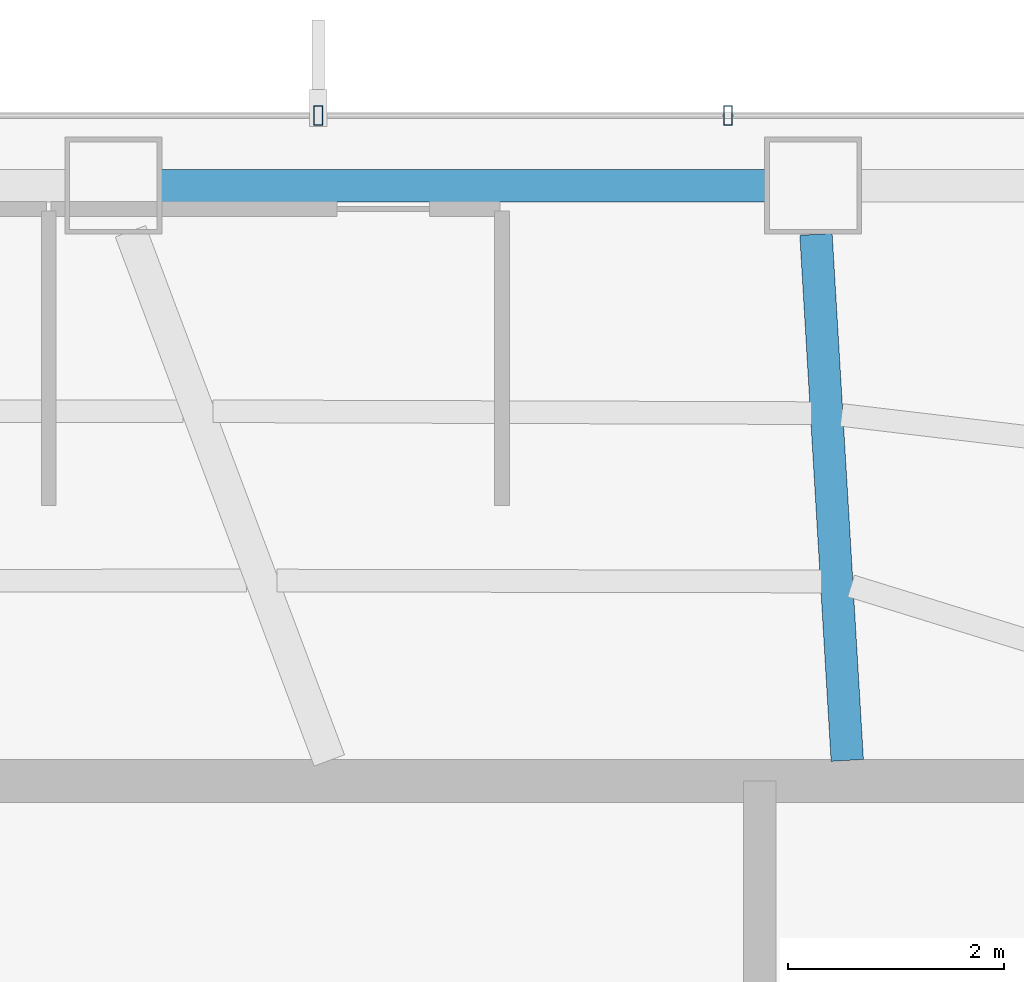
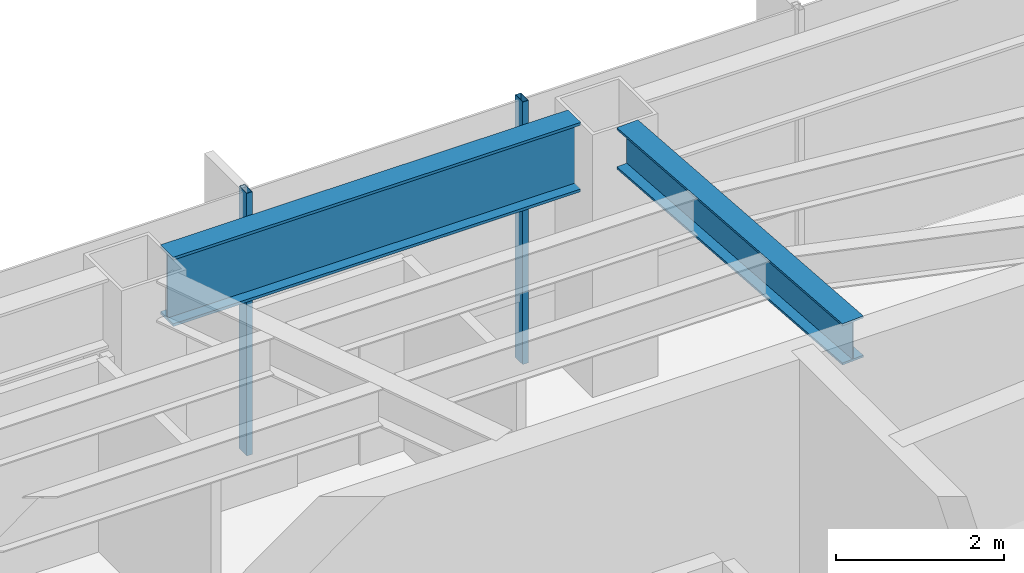
# One storey, part 14 of 25: 2 beams, 2 members, 1 element without a shape of its own.
"""IFC4 building model written with IfcOpenShell, lengths in metres."""

import ifcopenshell
import ifcopenshell.guid

model = None  # the IFC model being written
_history = None  # IfcOwnerHistory: only IFC2X3 demands one
_inside = {}  # id of a spatial element -> (the spatial element, [elements in it])
_under = {}  # id of a project, library or spatial element -> (it, [spatial elements below it])
_declared = {}  # id of a project -> (the project, [libraries it declares])
_typed = {}  # id of a type object -> (the type object, [elements of that type])
_made_of = {}  # id of a material, layer set ... -> (it, [elements and type objects made of it])


def new_model(schema):
    """Start an empty IFC model of exactly this schema.

    Asked for "IFC4X3", IfcOpenShell would pick the latest addendum, in which some entities
    have other attributes; the version numbers below select the first issue.
    IFC2X3 requires an IfcOwnerHistory on every rooted entity: one is made here for all.
    """
    global model, _history
    if schema == "IFC4X3":
        model = ifcopenshell.file(schema_version=(4, 3, 0, 0))
    else:
        model = ifcopenshell.file(schema=schema)
    _inside.clear()
    _under.clear()
    _declared.clear()
    _typed.clear()
    _made_of.clear()
    _history = None
    if model.schema == "IFC2X3":
        org = make("IfcOrganization", Name="unknown")
        user = make(
            "IfcPersonAndOrganization",
            ThePerson=make("IfcPerson", FamilyName="unknown"),
            TheOrganization=org,
        )
        app = make(
            "IfcApplication",
            ApplicationDeveloper=org,
            Version="unknown",
            ApplicationFullName="unknown",
            ApplicationIdentifier="unknown",
        )
        _history = make(
            "IfcOwnerHistory",
            OwningUser=user,
            OwningApplication=app,
            ChangeAction="ADDED",
            CreationDate=0,
        )
    return model


def make(cls, **values):
    """One entity of the class cls with the attributes given. An attribute that is None is left unset."""
    return model.create_entity(
        cls, **{name: value for name, value in values.items() if value is not None}
    )


def rooted(cls, **values):
    """An entity with a GlobalId (a new one), such as an element, a storey or a relation."""
    return make(cls, GlobalId=ifcopenshell.guid.new(), OwnerHistory=_history, **values)


def si_unit(unit_type, name, prefix=None):
    """IfcSIUnit, for example si_unit("LENGTHUNIT", "METRE", prefix="MILLI")."""
    return make("IfcSIUnit", UnitType=unit_type, Prefix=prefix, Name=name)


def assignment(units):
    """IfcUnitAssignment: the units of a project."""
    return None if units is None else make("IfcUnitAssignment", Units=units)


def point(xyz):
    """IfcCartesianPoint."""
    return None if xyz is None else make("IfcCartesianPoint", Coordinates=xyz)


def direction(xyz):
    """IfcDirection."""
    return None if xyz is None else make("IfcDirection", DirectionRatios=xyz)


def frame(location, z_axis=None, x_axis=None):
    """IfcAxis2Placement3D, a coordinate frame: its origin and axes. An axis left out is left unset."""
    return make(
        "IfcAxis2Placement3D",
        Location=point(location),
        Axis=direction(z_axis),
        RefDirection=direction(x_axis),
    )


def frame_2d(location, x_axis=None):
    """IfcAxis2Placement2D, a coordinate frame in the plane: its origin and x axis."""
    return make(
        "IfcAxis2Placement2D", Location=point(location), RefDirection=direction(x_axis)
    )


def origin():
    """The frame at (0, 0, 0) with its axes left unset."""
    return frame((0.0, 0.0, 0.0))


def origin_2d():
    """The frame at (0, 0) in the plane with its x axis left unset."""
    return frame_2d((0.0, 0.0))


def place(relative_to, where):
    """IfcLocalPlacement: puts the frame where relative to a parent placement (None: the world)."""
    return make(
        "IfcLocalPlacement", PlacementRelTo=relative_to, RelativePlacement=where
    )


def context(
    kind, dimensions, precision=None, world=None, true_north=None, identifier=None
):
    """IfcGeometricRepresentationContext, for example the 3D "Model" context."""
    return make(
        "IfcGeometricRepresentationContext",
        ContextIdentifier=identifier,
        ContextType=kind,
        CoordinateSpaceDimension=dimensions,
        Precision=precision,
        WorldCoordinateSystem=world,
        TrueNorth=true_north,
    )


def subcontext(parent, identifier, kind, view, scale=None):
    """IfcGeometricRepresentationSubContext, for example "Body" below "Model"."""
    return make(
        "IfcGeometricRepresentationSubContext",
        ContextIdentifier=identifier,
        ContextType=kind,
        ParentContext=parent,
        TargetScale=scale,
        TargetView=view,
    )


def project(units=None, contexts=None):
    """IfcProject with its units and contexts."""
    return rooted(
        "IfcProject",
        Name="project",
        RepresentationContexts=contexts,
        UnitsInContext=assignment(units),
    )


def spatial(cls, under=None, at=None, **own):
    """A site, building, storey or space (cls), placed at a placement, below another one or the project."""
    s = rooted(cls, ObjectPlacement=at, **own)
    if under is not None:
        _under.setdefault(under.id(), (under, []))[1].append(s)
    return s


def profile(cls, at=None, kind="AREA", **sizes):
    """A parametric profile (cls). Its sizes go by their IFC names, for example OverallWidth=200.0."""
    return make(cls, ProfileType=kind, Position=at, **sizes)


def hollow_rectangle(**sizes):
    """IfcRectangleHollowProfileDef."""
    return profile("IfcRectangleHollowProfileDef", **sizes)


def i_section(**sizes):
    """IfcIShapeProfileDef."""
    return profile("IfcIShapeProfileDef", **sizes)


def extrude(swept, where, along, depth):
    """IfcExtrudedAreaSolid: the profile swept, set in the frame where, extruded along a direction by depth."""
    return make(
        "IfcExtrudedAreaSolid",
        SweptArea=swept,
        Position=where,
        ExtrudedDirection=direction(along),
        Depth=depth,
    )


def shape(context_of_items, identifier, shape_type, items):
    """IfcShapeRepresentation: the items that make up one representation, for example the "Body"."""
    return make(
        "IfcShapeRepresentation",
        ContextOfItems=context_of_items,
        RepresentationIdentifier=identifier,
        RepresentationType=shape_type,
        Items=items,
    )


def material(Name=None, Category=None):
    """IfcMaterial."""
    return make("IfcMaterial", Name=Name, Category=Category)


def layer(
    of_material, thickness, ventilated=None, Name=None, Category=None, Priority=None
):
    """IfcMaterialLayer: one layer of a wall or slab, of a material (None: an air gap)."""
    return make(
        "IfcMaterialLayer",
        Material=of_material,
        LayerThickness=thickness,
        IsVentilated=ventilated,
        Name=Name,
        Category=Category,
        Priority=Priority,
    )


def layer_set(layers, Name=None):
    """IfcMaterialLayerSet."""
    return make("IfcMaterialLayerSet", MaterialLayers=layers, LayerSetName=Name)


def material_profile(
    of_material, cross_section, Name=None, Category=None, Priority=None
):
    """IfcMaterialProfile: a cross section and its material."""
    return make(
        "IfcMaterialProfile",
        Name=Name,
        Material=of_material,
        Profile=cross_section,
        Priority=Priority,
        Category=Category,
    )


def profile_set(profiles, Name=None, composite=None):
    """IfcMaterialProfileSet."""
    return make(
        "IfcMaterialProfileSet",
        Name=Name,
        MaterialProfiles=profiles,
        CompositeProfile=composite,
    )


def made_of(thing, what):
    """Note that an element or type object is made of a material, layer set ...; save() writes the relation."""
    if what is not None:
        _made_of.setdefault(what.id(), (what, []))[1].append(thing)
    return thing


def type_object(cls, material=None, **own):
    """A type object (cls), such as IfcWallType, which elements share."""
    return made_of(rooted(cls, **own), material)


def element(
    cls,
    number,
    at=None,
    inside=None,
    cuts=None,
    type_object=None,
    material=None,
    context=None,
    identifier="Body",
    shape_type=None,
    held_by="IfcProductDefinitionShape",
    body=None,
    shapes=None,
    **own,
):
    """One element of the class cls, such as IfcWall. Its Tag is "e" and its number.

    at: its placement. inside: the storey or other place that contains it. cuts: it is an
    opening in that element (IfcRelVoidsElement). A single representation is given by context,
    identifier, shape_type and body (its items); several are given by shapes. held_by: the class
    of the entity that holds the representations. save() writes the other relations.
    """
    e = rooted(cls, Tag="e%d" % number, ObjectPlacement=at, **own)
    if body is not None:
        shapes = [shape(context, identifier, shape_type, body)]
    if shapes is not None:
        e.Representation = make(held_by, Representations=shapes)
    if inside is not None:
        _inside.setdefault(inside.id(), (inside, []))[1].append(e)
    if cuts is not None:
        rooted(
            "IfcRelVoidsElement", RelatingBuildingElement=cuts, RelatedOpeningElement=e
        )
    if type_object is not None:
        _typed.setdefault(type_object.id(), (type_object, []))[1].append(e)
    return made_of(e, material)


def aggregate(whole, parts):
    """IfcRelAggregates: a whole, such as a stair, and the parts it consists of."""
    return rooted("IfcRelAggregates", RelatingObject=whole, RelatedObjects=parts)


def save(model, path):
    """Write the relations noted so far, then the file.

    IfcRelAggregates (storeys below a building ...), IfcRelContainedInSpatialStructure (elements
    in a storey), IfcRelDefinesByType, IfcRelAssociatesMaterial and IfcRelDeclares: one each for
    every whole, place, type object, material and project.
    """
    for whole, parts in _under.values():
        aggregate(whole, parts)
    for where, things in _inside.values():
        rooted(
            "IfcRelContainedInSpatialStructure",
            RelatedElements=things,
            RelatingStructure=where,
        )
    for kind, things in _typed.values():
        rooted("IfcRelDefinesByType", RelatedObjects=things, RelatingType=kind)
    for what, things in _made_of.values():
        rooted("IfcRelAssociatesMaterial", RelatedObjects=things, RelatingMaterial=what)
    for by, libraries in _declared.values():
        rooted("IfcRelDeclares", RelatingContext=by, RelatedDefinitions=libraries)
    model.write(path)


model = new_model("IFC4")

# Units and contexts
model_context = context("Model", 3, precision=1e-05, world=origin(), true_north=direction((0.0, 1.0)))
body_context = subcontext(model_context, "Body", "Model", "MODEL_VIEW")
ifc_project = project(units=[si_unit("LENGTHUNIT", "METRE"), si_unit("AREAUNIT", "SQUARE_METRE"), si_unit("VOLUMEUNIT", "CUBIC_METRE"), si_unit("PLANEANGLEUNIT", "RADIAN"), si_unit("MASSUNIT", "GRAM", prefix="KILO")], contexts=[model_context])

# Site, building, storey
site_placement = place(None, origin())
site = spatial("IfcSite", under=ifc_project, at=site_placement, CompositionType="ELEMENT")
building_placement = place(site_placement, origin())
building = spatial("IfcBuilding", under=site, at=building_placement, Name="Zarrinselat Tower", CompositionType="ELEMENT")
storey_placement = place(building_placement, frame((0.0, 0.0, 88.739990234375)))
storey = spatial("IfcBuildingStorey", under=building, at=storey_placement, Name="L21", CompositionType="ELEMENT", Elevation=88.739990234375)

# Beams
ifc_material_1 = material(Name="Steel S355J2", Category="steel")
ifc_material_profile_1 = material_profile(ifc_material_1, i_section(OverallWidth=0.300048828125, OverallDepth=0.60009765625, WebThickness=0.015380859375, FlangeThickness=0.030029296875, at=origin_2d()), Name="HEB 600")
ifc_profile_set_1 = profile_set([ifc_material_profile_1], Name="Steel S355J2")
beam_type_1 = type_object("IfcBeamType", Name="BM-HEB600", PredefinedType="BEAM", material=ifc_profile_set_1)
beam_1_placement = place(storey_placement, frame((45.510009765625, 48.515380859375, 3.52001953125), z_axis=(0.059384247152, -0.998235198333, 0.0), x_axis=(0.998235198333, 0.059384247152, 0.0)))
element("IfcBeam", 1, at=beam_1_placement, inside=storey, type_object=beam_type_1, Name="L21 Radial Primary Girder RG02", PredefinedType="BEAM", context=body_context, shape_type="SweptSolid", body=[
    extrude(i_section(OverallWidth=0.300048828125, OverallDepth=0.60009765625, WebThickness=0.015380859375, FlangeThickness=0.030029296875, at=origin_2d()), origin(), (0.0, 0.0, 1.0), 4.884033203125),
])
ifc_material_2 = material(Name="Steel S460M", Category="steel")
ifc_material_profile_2 = material_profile(ifc_material_2, i_section(OverallWidth=0.302001953125, OverallDepth=1.008056640625, WebThickness=0.02099609375, FlangeThickness=0.0400390625, at=origin_2d()), Name="HEM 1000")
ifc_profile_set_2 = profile_set([ifc_material_profile_2], Name="Steel S460M")
beam_type_2 = type_object("IfcBeamType", Name="BM-HEM1000", PredefinedType="BEAM", material=ifc_profile_set_2)
beam_2_placement = place(storey_placement, frame((39.43603515625, 48.966796875, 3.31591796875), z_axis=(1.0, 0.0, 0.0), x_axis=(0.0, 1.0, 0.0)))
element("IfcBeam", 2, at=beam_2_placement, inside=storey, type_object=beam_type_2, Name="L21 Perimeter Spandrel Girder SP02", PredefinedType="BEAM", context=body_context, shape_type="SweptSolid", body=[
    extrude(i_section(OverallWidth=0.302001953125, OverallDepth=1.008056640625, WebThickness=0.02099609375, FlangeThickness=0.0400390625, at=origin_2d()), origin(), (0.0, 0.0, 1.0), 5.609130859375),
])

# Curtain wall, members
ifc_material_3 = material(Name="Extruded Aluminium Alloy EN AW-6063 T6", Category="aluminium")
ifc_layer = layer(ifc_material_3, 0.18505859375)
ifc_layer_set = layer_set([ifc_layer], Name="Extruded Aluminium Alloy EN AW-6063 T6")
curtain_wall_type = type_object("IfcCurtainWallType", Name="CWS-OFF", PredefinedType="NOTDEFINED", material=ifc_layer_set)
curtain_wall_placement = place(storey_placement, origin())
curtain_wall = element("IfcCurtainWall", 3, at=curtain_wall_placement, inside=storey, type_object=curtain_wall_type, Name="L21 Unitised Curtain Wall CW-L21-E01", PredefinedType="NOTDEFINED")
ifc_material_4 = material(Name="Extruded Aluminium Alloy EN AW-6063 T6", Category="aluminium")
ifc_material_profile_3 = material_profile(ifc_material_4, hollow_rectangle(XDim=0.080078125, YDim=0.179931640625, WallThickness=0.0048828125, at=origin_2d()), Name="RHS 180x80x5")
ifc_profile_set_3 = profile_set([ifc_material_profile_3], Name="Extruded Aluminium Alloy EN AW-6063 T6")
member_type = type_object("IfcMemberType", Name="MEM-CW-MUL", PredefinedType="MULLION", material=ifc_profile_set_3)
member_1_placement = place(storey_placement, frame((44.6953125, 49.61669921875, 0.0), z_axis=(0.0, 0.0, 1.0), x_axis=(-1.0, 0.0, 0.0)))
member_1 = element("IfcMember", 4, at=member_1_placement, type_object=member_type, Name="CW-L21-E01 Mullion 2", PredefinedType="MULLION", context=body_context, shape_type="SweptSolid", body=[
    extrude(hollow_rectangle(XDim=0.080078125, YDim=0.179931640625, WallThickness=0.0048828125, at=origin_2d()), origin(), (0.0, 0.0, 1.0), 3.820068359375),
])
member_2_placement = place(storey_placement, frame((40.897216796875, 49.61669921875, 0.0), z_axis=(0.0, 0.0, 1.0), x_axis=(-1.0, 0.0, 0.0)))
member_2 = element("IfcMember", 5, at=member_2_placement, type_object=member_type, Name="CW-L21-E01 Mullion 3", PredefinedType="MULLION", context=body_context, shape_type="SweptSolid", body=[
    extrude(hollow_rectangle(XDim=0.080078125, YDim=0.179931640625, WallThickness=0.0048828125, at=origin_2d()), origin(), (0.0, 0.0, 1.0), 3.820068359375),
])
aggregate(curtain_wall, [member_1, member_2])

save(model, "model.ifc")
